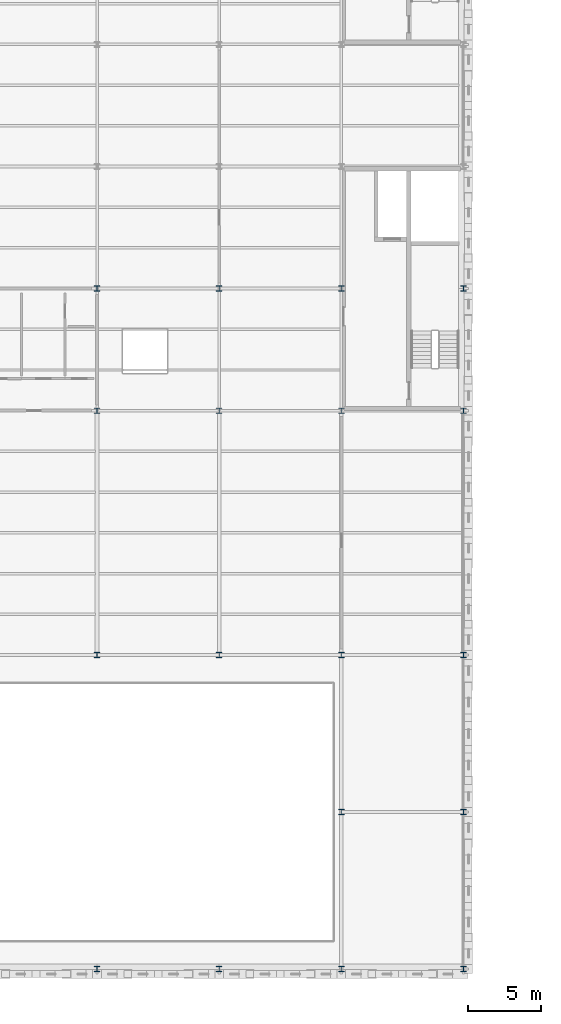
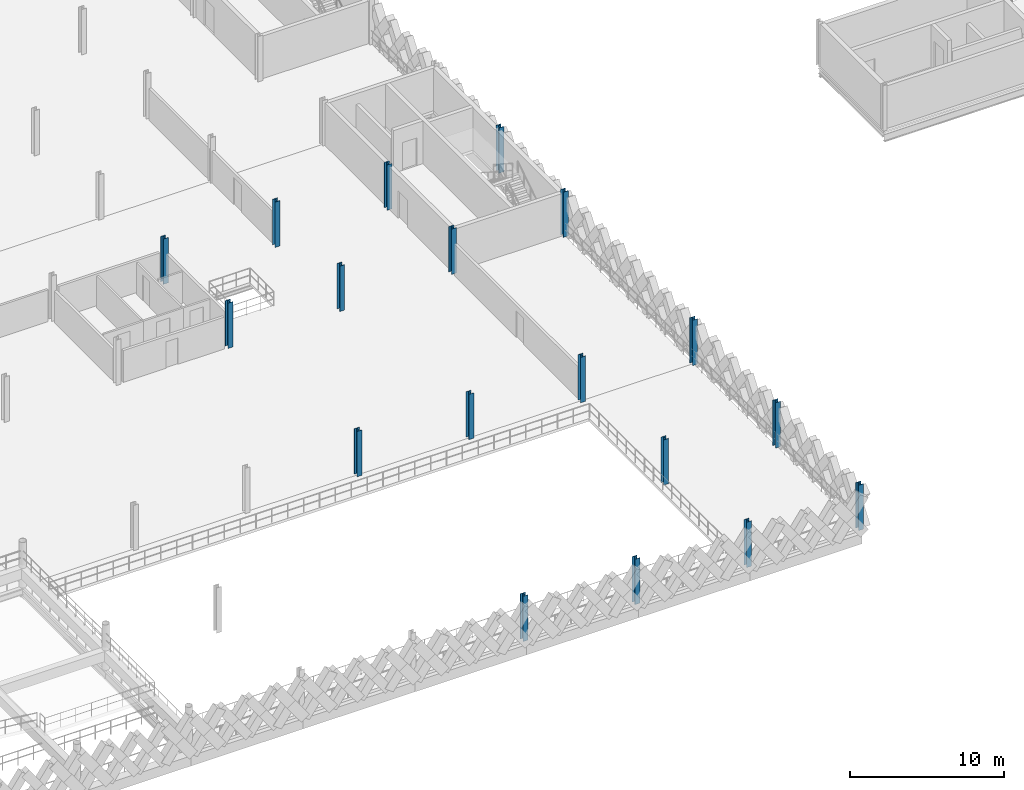
# One storey, part 5 of 74: 18 columns.
"""IFC4 building model written with IfcOpenShell, lengths in metres."""

from ifc_helpers import new_model, si_unit, direction, frame, origin, origin_2d, place, context, subcontext, project, spatial, i_section, extrude, material, material_profile, profile_set, type_object, element, save


model = new_model("IFC4")

# Units and contexts
model_context = context("Model", 3, precision=1e-05, world=origin(), true_north=direction((0.0, 1.0)))
body_context = subcontext(model_context, "Body", "Model", "MODEL_VIEW")
ifc_project = project(units=[si_unit("LENGTHUNIT", "METRE"), si_unit("AREAUNIT", "SQUARE_METRE"), si_unit("VOLUMEUNIT", "CUBIC_METRE"), si_unit("PLANEANGLEUNIT", "RADIAN"), si_unit("MASSUNIT", "GRAM", prefix="KILO"), si_unit("THERMODYNAMICTEMPERATUREUNIT", "KELVIN"), si_unit("POWERUNIT", "WATT")], contexts=[model_context])

# Site, building, storey
site_placement = place(None, origin())
site = spatial("IfcSite", under=ifc_project, at=site_placement, CompositionType="ELEMENT")
building_placement = place(site_placement, origin())
building = spatial("IfcBuilding", under=site, at=building_placement, Name="Tembeka Court Mobility Hub", CompositionType="ELEMENT")
storey_placement = place(building_placement, frame((0.0, 0.0, 12.60009765625)))
storey = spatial("IfcBuildingStorey", under=building, at=storey_placement, Name="L03", CompositionType="ELEMENT", Elevation=12.60009765625)

# Columns
ifc_material = material(Name="Steel S355", Category="steel")
ifc_material_profile = material_profile(ifc_material, i_section(OverallWidth=0.373046875, OverallDepth=0.367919921875, WebThickness=0.014404296875, FlangeThickness=0.023681640625, FilletRadius=0.01513671875, at=origin_2d()), Name="UKC 356x368x177")
ifc_profile_set = profile_set([ifc_material_profile], Name="Steel S355")
column_type = type_object("IfcColumnType", Name="COL-C03", PredefinedType="COLUMN", material=ifc_profile_set)
for number, where, z_axis, x_axis, name in (
    (1, (67.199951171875, 0.0, 0.0), (0.0, 0.0, 1.0), (1.0, 0.0, 0.0), "Column C03 (L03-093)"),
    (2, (67.199951171875, 21.60009765625, 0.0), (0.0, 0.0, 1.0), (1.0, 0.0, 0.0), "Column C03 (L03-094)"),
    (3, (67.199951171875, 38.39990234375, 0.0), (0.0, 0.0, 1.0), (1.0, 0.0, 0.0), "Column C03 (L03-095)"),
    (4, (67.199951171875, 46.800048828125, 0.0), (0.0, 0.0, 1.0), (1.0, 0.0, 0.0), "Column C03 (L03-096)"),
    (5, (75.60009765625, 0.0, 0.0), (0.0, 0.0, 1.0), (1.0, 0.0, 0.0), "Column C03 (L03-103)"),
    (6, (75.60009765625, 21.60009765625, 0.0), (0.0, 0.0, 1.0), (1.0, 0.0, 0.0), "Column C03 (L03-104)"),
    (7, (75.60009765625, 38.39990234375, 0.0), (0.0, 0.0, 1.0), (1.0, 0.0, 0.0), "Column C03 (L03-105)"),
    (8, (75.60009765625, 46.800048828125, 0.0), (0.0, 0.0, 1.0), (1.0, 0.0, 0.0), "Column C03 (L03-106)"),
    (9, (84.0, 0.0, 0.0), (0.0, 0.0, 1.0), (1.0, 0.0, 0.0), "Column C03 (L03-113)"),
    (10, (84.0, 10.800048828125, 0.0), (0.0, 0.0, 1.0), (1.0, 0.0, 0.0), "Column C03 (L03-114)"),
    (11, (84.0, 21.60009765625, 0.0), (0.0, 0.0, 1.0), (1.0, 0.0, 0.0), "Column C03 (L03-115)"),
    (12, (84.0, 38.39990234375, 0.0), (0.0, 0.0, 1.0), (1.0, 0.0, 0.0), "Column C03 (L03-116)"),
    (13, (84.0, 46.800048828125, 0.0), (0.0, 0.0, 1.0), (1.0, 0.0, 0.0), "Column C03 (L03-117)"),
    (14, (92.39990234375, 0.0, 0.0), (0.0, 0.0, 1.0), (1.0, 0.0, 0.0), "Column C03 (L03-125)"),
    (15, (92.39990234375, 10.800048828125, 0.0), (0.0, 0.0, 1.0), (1.0, 0.0, 0.0), "Column C03 (L03-126)"),
    (16, (92.39990234375, 21.60009765625, 0.0), (0.0, 0.0, 1.0), (1.0, 0.0, 0.0), "Column C03 (L03-127)"),
    (17, (92.39990234375, 38.39990234375, 0.0), (0.0, 0.0, 1.0), (1.0, 0.0, 0.0), "Column C03 (L03-128)"),
    (18, (92.39990234375, 46.800048828125, 0.0), (0.0, 0.0, 1.0), (1.0, 0.0, 0.0), "Column C03 (L03-129)"),
):
    element("IfcColumn", number, at=place(storey_placement, frame(where, z_axis=z_axis, x_axis=x_axis)), inside=storey, type_object=column_type, Name=name, PredefinedType="COLUMN", context=body_context, shape_type="SweptSolid", body=[
        extrude(i_section(OverallWidth=0.373046875, OverallDepth=0.367919921875, WebThickness=0.014404296875, FlangeThickness=0.023681640625, FilletRadius=0.01513671875, at=origin_2d()), origin(), (0.0, 0.0, 1.0), 3.599853515625),
    ])

save(model, "model.ifc")
